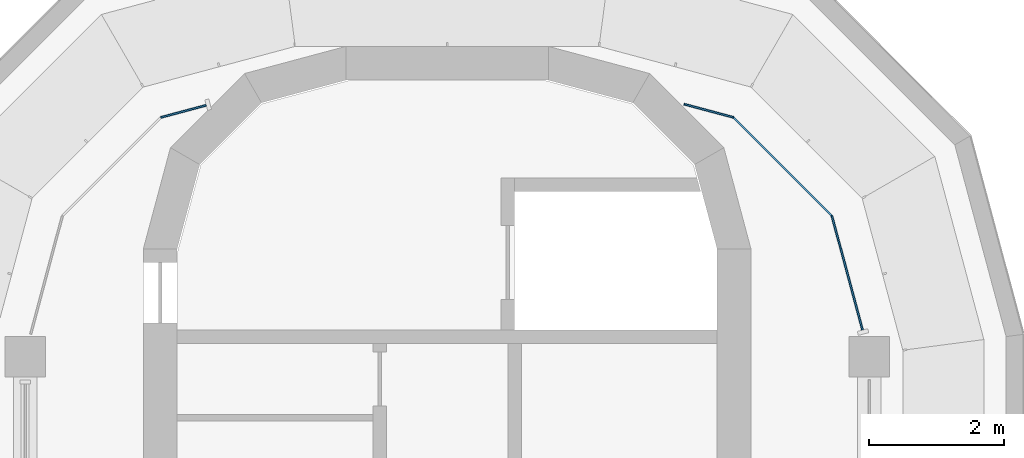
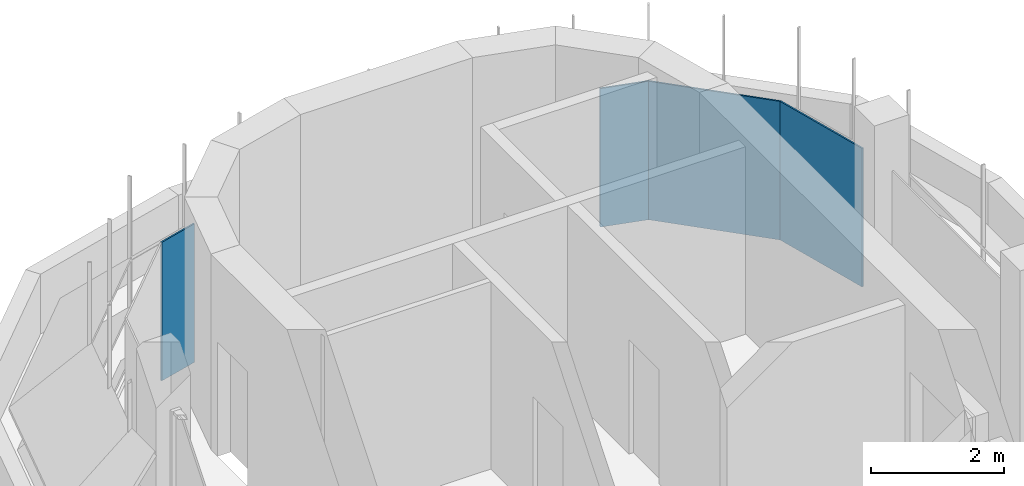
# One storey, part 7 of 12: 4 plates, 4 elements without a shape of their own.
"""IFC4 building model written with IfcOpenShell, lengths in metres."""

from ifc_helpers import new_model, si_unit, direction, frame, origin, place, context, subcontext, project, spatial, polyline, outline, extrude, source, transform, mapped, material, layer, layer_set, type_object, element, aggregate, save


model = new_model("IFC4")

# Units and contexts
model_context = context("Model", 3, precision=1e-05, world=origin(), true_north=direction((0.0, 1.0)))
body_context = subcontext(model_context, "Body", "Model", "MODEL_VIEW")
ifc_project = project(units=[si_unit("LENGTHUNIT", "METRE"), si_unit("AREAUNIT", "SQUARE_METRE"), si_unit("VOLUMEUNIT", "CUBIC_METRE"), si_unit("PLANEANGLEUNIT", "RADIAN"), si_unit("MASSUNIT", "GRAM", prefix="KILO")], contexts=[model_context])

# Site, building, storey
site_placement = place(None, origin())
site = spatial("IfcSite", under=ifc_project, at=site_placement, CompositionType="ELEMENT")
building_placement = place(site_placement, origin())
building = spatial("IfcBuilding", under=site, at=building_placement, Name="Zarbagh Exchange Tower", CompositionType="ELEMENT")
storey_placement = place(building_placement, frame((0.0, 0.0, 309.60009765625)))
storey = spatial("IfcBuildingStorey", under=building, at=storey_placement, Name="L76", CompositionType="ELEMENT", Elevation=309.60009765625)

# Curtain wall, plate
ifc_material_1 = material(Name="Anodised aluminium frame and glazing", Category="aluminium")
curtain_wall_type = type_object("IfcCurtainWallType", Name="CWF Crown tier glazing", PredefinedType="NOTDEFINED", material=ifc_material_1)
curtain_wall_1_placement = place(storey_placement, origin())
curtain_wall_1 = element("IfcCurtainWall", 1, at=curtain_wall_1_placement, inside=storey, type_object=curtain_wall_type, Name="CWF24 curtain wall", PredefinedType="NOTDEFINED")
ifc_material_2 = material(Name="Low-e double glazed unit, 6+12+6 mm")
ifc_layer = layer(ifc_material_2, 0.028076171875)
ifc_layer_set = layer_set([ifc_layer], Name="PAF Glazing panel, Low-e double glazed unit, 6+12+6 mm")
plate_type = type_object("IfcPlateType", Name="PAF Glazing panel, Low-e double glazed unit, 6+12+6 mm", PredefinedType="CURTAIN_PANEL", material=ifc_layer_set)
shared_shape_1 = source(origin(), body_context, "Body", "SweptSolid", [
    extrude(outline(polyline([(0.0, -0.013916015625), (0.697021484375, -0.013916015625), (0.697021484375, 0.013916015625), (0.0, 0.013916015625), (0.0, -0.013916015625)])), origin(), (0.0, 0.0, 1.0), 2.550048828125),
])
placement = place(storey_placement, origin())
plate_1 = element("IfcPlate", 2, at=placement, type_object=plate_type, Name="CWF24 glazing panel 1.1", PredefinedType="CURTAIN_PANEL", context=body_context, shape_type="MappedRepresentation", body=[
    mapped(shared_shape_1, transform((-3.56787109375, 28.379150390625, 0.0), x_axis=(-0.965924289636, -0.258824779902, 0.0), y_axis=(0.258824779902, -0.965924289636, 0.0), z_axis=(0.0, 0.0, 1.0))),
])
aggregate(curtain_wall_1, [plate_1])

curtain_wall_2_placement = place(storey_placement, origin())
curtain_wall_2 = element("IfcCurtainWall", 3, at=curtain_wall_2_placement, inside=storey, type_object=curtain_wall_type, Name="CWF22 curtain wall", PredefinedType="NOTDEFINED")
shared_shape_2 = source(origin(), body_context, "Body", "SweptSolid", [
    extrude(outline(polyline([(0.0, -0.013916015625), (2.061279296875, -0.013916015625), (2.061279296875, 0.013916015625), (0.0, 0.013916015625), (0.0, -0.013916015625)])), origin(), (0.0, 0.0, 1.0), 2.550048828125),
])
plate_2 = element("IfcPlate", 4, at=placement, type_object=plate_type, Name="CWF22 glazing panel 1.1", PredefinedType="CURTAIN_PANEL", context=body_context, shape_type="MappedRepresentation", body=[
    mapped(shared_shape_2, transform((5.69873046875, 26.7412109375, 0.0), x_axis=(-0.707106781187, 0.707106781187, 0.0), y_axis=(-0.707106781187, -0.707106781187, 0.0), z_axis=(0.0, 0.0, 1.0))),
])
aggregate(curtain_wall_2, [plate_2])

curtain_wall_3_placement = place(storey_placement, origin())
curtain_wall_3 = element("IfcCurtainWall", 5, at=curtain_wall_3_placement, inside=storey, type_object=curtain_wall_type, Name="CWF21 curtain wall", PredefinedType="NOTDEFINED")
shared_shape_3 = source(origin(), body_context, "Body", "SweptSolid", [
    extrude(outline(polyline([(0.0, -0.013916015625), (1.7529296875, -0.013916015625), (1.7529296875, 0.013916015625), (0.0, 0.013916015625), (0.0, -0.013916015625)])), origin(), (0.0, 0.0, 1.0), 2.550048828125),
])
plate_3 = element("IfcPlate", 6, at=placement, type_object=plate_type, Name="CWF21 glazing panel 1.1", PredefinedType="CURTAIN_PANEL", context=body_context, shape_type="MappedRepresentation", body=[
    mapped(shared_shape_3, transform((6.152587890625, 25.0478515625, 0.0), x_axis=(-0.258824779902, 0.965924289636, 0.0), y_axis=(-0.965924289636, -0.258824779902, 0.0), z_axis=(0.0, 0.0, 1.0))),
])
aggregate(curtain_wall_3, [plate_3])

curtain_wall_4_placement = place(storey_placement, origin())
curtain_wall_4 = element("IfcCurtainWall", 7, at=curtain_wall_4_placement, inside=storey, type_object=curtain_wall_type, Name="CWF23 curtain wall", PredefinedType="NOTDEFINED")
shared_shape_4 = source(origin(), body_context, "Body", "SweptSolid", [
    extrude(outline(polyline([(0.0, -0.013916015625), (0.757080078125, -0.013916015625), (0.757080078125, 0.013916015625), (0.0, 0.013916015625), (0.0, -0.013916015625)])), origin(), (0.0, 0.0, 1.0), 2.550048828125),
])
plate_4 = element("IfcPlate", 8, at=placement, type_object=plate_type, Name="CWF23 glazing panel 1.1", PredefinedType="CURTAIN_PANEL", context=body_context, shape_type="MappedRepresentation", body=[
    mapped(shared_shape_4, transform((4.2412109375, 28.19873046875, 0.0), x_axis=(-0.965924289636, 0.258824779902, 0.0), y_axis=(-0.258824779902, -0.965924289636, 0.0), z_axis=(0.0, 0.0, 1.0))),
])
aggregate(curtain_wall_4, [plate_4])

save(model, "model.ifc")
